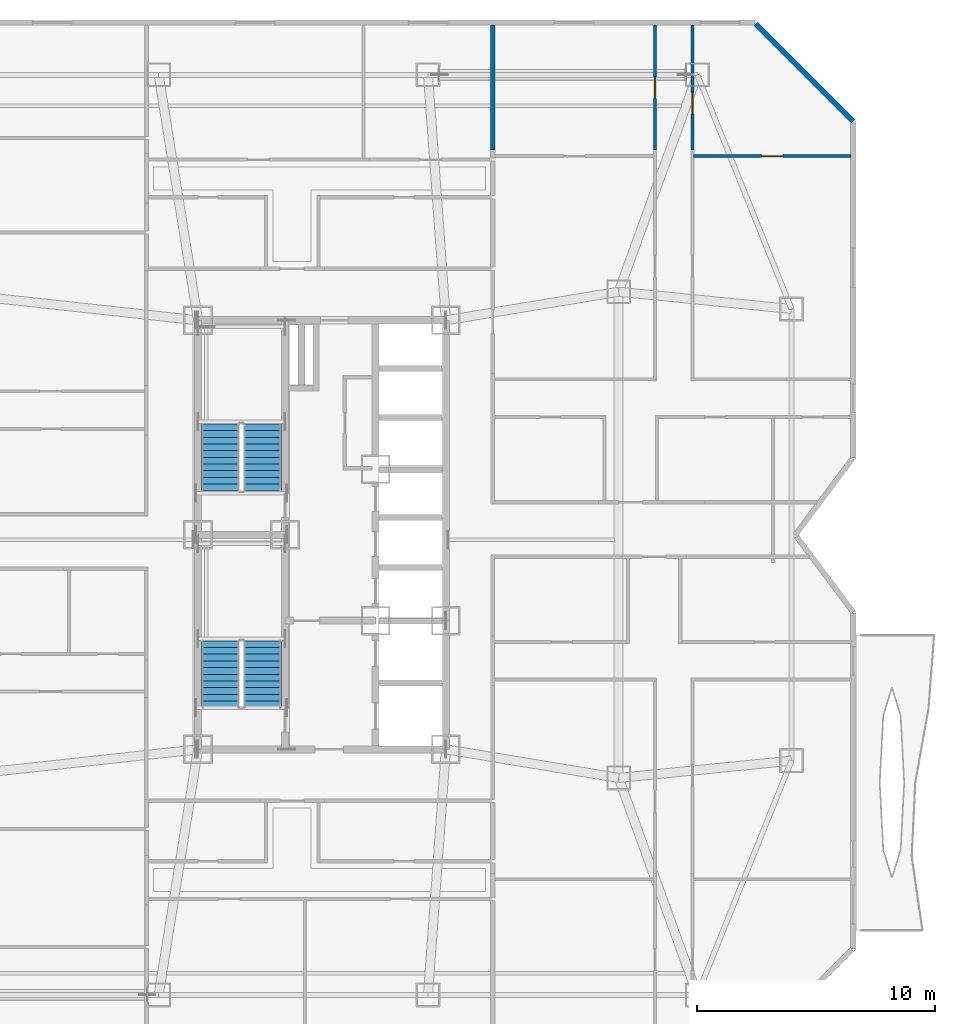
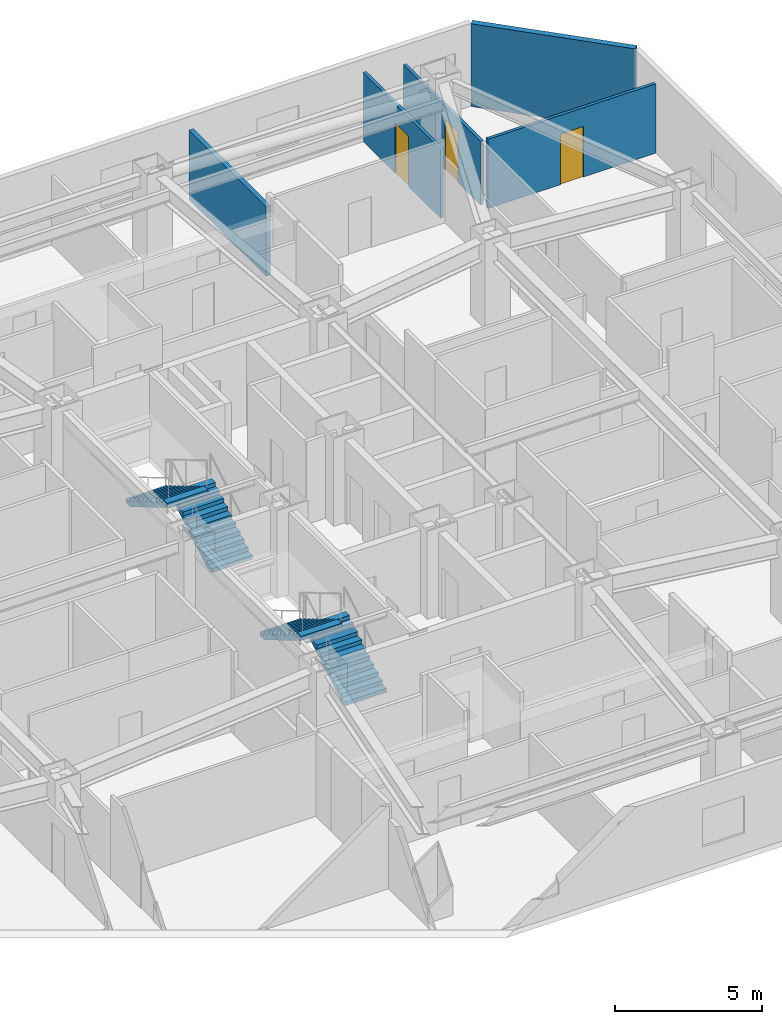
# One storey, part 12 of 15: 5 walls, 4 stair flights, 3 doors, 3 openings, 2 elements without a shape of their own.
"""IFC4 building model written with IfcOpenShell, lengths in metres."""

from ifc_helpers import new_model, si_unit, direction, frame, frame_2d, origin, place, context, subcontext, project, spatial, polyline, rectangle, outline, extrude, material, layer, layer_set, type_object, element, fill, aggregate, save


model = new_model("IFC4")

# Units and contexts
model_context = context("Model", 3, precision=1e-05, world=origin(), true_north=direction((0.0, 1.0)))
body_context = subcontext(model_context, "Body", "Model", "MODEL_VIEW")
ifc_project = project(units=[si_unit("LENGTHUNIT", "METRE"), si_unit("AREAUNIT", "SQUARE_METRE"), si_unit("VOLUMEUNIT", "CUBIC_METRE"), si_unit("PLANEANGLEUNIT", "RADIAN"), si_unit("MASSUNIT", "GRAM", prefix="KILO")], contexts=[model_context])

# Site, building, storey
site_placement = place(None, origin())
site = spatial("IfcSite", under=ifc_project, at=site_placement, CompositionType="ELEMENT")
building_placement = place(site_placement, origin())
building = spatial("IfcBuilding", under=site, at=building_placement, Name="Khamvora Tower", CompositionType="ELEMENT")
storey_placement = place(building_placement, frame((0.0, 0.0, 101.89990234375)))
storey = spatial("IfcBuildingStorey", under=building, at=storey_placement, Name="L25", CompositionType="ELEMENT", Elevation=101.89990234375)

# Walls
ifc_material_1 = material(Name="Acoustic Double-Stud Fire Wall", Category="gypsum")
ifc_layer_1 = layer(ifc_material_1, 0.179931640625)
ifc_layer_set_1 = layer_set([ifc_layer_1], Name="Acoustic Double-Stud Fire Wall")
wall_type_1 = type_object("IfcWallType", Name="WAL-CORR-180", PredefinedType="STANDARD", material=ifc_layer_set_1)
wall_1_placement = place(storey_placement, frame((41.364990234375, 49.387939453125, 0.0), z_axis=(0.0, 0.0, 1.0), x_axis=(0.0, -1.0, 0.0)))
element("IfcWall", 1, at=wall_1_placement, inside=storey, type_object=wall_type_1, Name="L25 interior partition wall 097", PredefinedType="STANDARD", context=body_context, shape_type="SweptSolid", body=[
    extrude(rectangle(XDim=5.25, YDim=0.179931640625, at=frame_2d((2.625, 0.0))), origin(), (0.0, 0.0, 1.0), 2.8759765625),
])
ifc_material_2 = material(Name="Precast concrete C40/50", Category="concrete")
ifc_layer_2 = layer(ifc_material_2, 0.219970703125)
ifc_layer_set_2 = layer_set([ifc_layer_2], Name="Precast concrete C40/50")
wall_type_2 = type_object("IfcWallType", Name="WAL-EXT-220", PredefinedType="STANDARD", material=ifc_layer_set_2)
wall_2_placement = place(storey_placement, frame((52.402099609375, 49.44189453125, 0.0), z_axis=(0.0, 0.0, 1.0), x_axis=(0.707106781187, -0.707106781187, 0.0)))
element("IfcWall", 2, at=wall_2_placement, inside=storey, type_object=wall_type_2, Name="L25 exterior facade wall 08.1", PredefinedType="STANDARD", context=body_context, shape_type="SweptSolid", body=[
    extrude(rectangle(XDim=5.78125, YDim=0.219970703125, at=frame_2d((2.890625, 0.0))), origin(), (0.0, 0.0, 1.0), 3.43017578125),
])

# Wall, opening, door
ifc_material_3 = material(Name="Gypsum Plasterboard Partition", Category="gypsum")
ifc_layer_3 = layer(ifc_material_3, 0.1201171875)
ifc_layer_set_3 = layer_set([ifc_layer_3], Name="Gypsum Plasterboard Partition")
wall_type_3 = type_object("IfcWallType", Name="WAL-PART-120", PredefinedType="PARTITIONING", material=ifc_layer_set_3)
wall_3_placement = place(storey_placement, frame((48.175048828125, 44.137939453125, 0.0), z_axis=(0.0, 0.0, 1.0), x_axis=(0.0, 1.0, 0.0)))
wall_3 = element("IfcWall", 3, at=wall_3_placement, inside=storey, type_object=wall_type_3, Name="L25 interior partition wall 118", PredefinedType="PARTITIONING", context=body_context, shape_type="SweptSolid", body=[
    extrude(rectangle(XDim=5.25, YDim=0.1201171875, at=frame_2d((2.625, 0.0))), origin(), (0.0, 0.0, 1.0), 2.8759765625),
])
opening_1_placement = place(wall_3_placement, frame((2.175048828125, 0.0, 0.0)))
opening_1 = element("IfcOpeningElement", 4, at=opening_1_placement, cuts=wall_3, Name="Opening D-RM1", PredefinedType="OPENING", context=body_context, shape_type="SweptSolid", body=[
    extrude(rectangle(XDim=0.89990234375, YDim=2.10009765625, at=frame_2d((0.449951171875, 1.050048828125))), frame((0.0, 0.070068359375, 0.0), z_axis=(0.0, -1.0, 0.0), x_axis=(1.0, 0.0, 0.0)), (0.0, 0.0, 1.0), 0.14013671875),
])
ifc_material_4 = material(Name="Powder-Coated Steel and Hardwood Leaf", Category="steel")
door_type = type_object("IfcDoorType", Name="DOR-ROOM-900", OperationType="NOTDEFINED", PredefinedType="DOOR", material=ifc_material_4)
door_1_placement = place(opening_1_placement, origin())
door_1 = element("IfcDoor", 5, at=door_1_placement, inside=storey, type_object=door_type, Name="L25 interior door 25EBH-25EBR2", OperationType="SINGLE_SWING_RIGHT", OverallHeight=2.10009765625, OverallWidth=0.89990234375, PredefinedType="DOOR", context=body_context, shape_type="SweptSolid", body=[
    extrude(rectangle(XDim=0.89990234375, YDim=2.10009765625, at=frame_2d((0.449951171875, 1.050048828125))), frame((0.0, 0.02490234375, 0.0), z_axis=(0.0, -1.0, 0.0), x_axis=(1.0, 0.0, 0.0)), (0.0, 0.0, 1.0), 0.050048828125),
])
fill(opening_1, door_1)

wall_4_placement = place(storey_placement, frame((49.7451171875, 49.387939453125, 0.0), z_axis=(0.0, 0.0, 1.0), x_axis=(0.0, -1.0, 0.0)))
wall_4 = element("IfcWall", 6, at=wall_4_placement, inside=storey, type_object=wall_type_3, Name="L25 interior partition wall 121", PredefinedType="PARTITIONING", context=body_context, shape_type="SweptSolid", body=[
    extrude(rectangle(XDim=5.25, YDim=0.1201171875, at=frame_2d((2.625, 0.0))), origin(), (0.0, 0.0, 1.0), 2.647216796875),
])
opening_2_placement = place(wall_4_placement, frame((2.823974609375, 0.0, 0.0)))
opening_2 = element("IfcOpeningElement", 7, at=opening_2_placement, cuts=wall_4, Name="Opening D-RM1", PredefinedType="OPENING", context=body_context, shape_type="SweptSolid", body=[
    extrude(rectangle(XDim=0.89990234375, YDim=2.10009765625, at=frame_2d((0.449951171875, 1.050048828125))), frame((0.0, 0.070068359375, 0.0), z_axis=(0.0, -1.0, 0.0), x_axis=(1.0, 0.0, 0.0)), (0.0, 0.0, 1.0), 0.14013671875),
])
door_2_placement = place(opening_2_placement, origin())
door_2 = element("IfcDoor", 8, at=door_2_placement, inside=storey, type_object=door_type, Name="L25 interior door 25EBH-25EBR4", OperationType="SINGLE_SWING_RIGHT", OverallHeight=2.10009765625, OverallWidth=0.89990234375, PredefinedType="DOOR", context=body_context, shape_type="SweptSolid", body=[
    extrude(rectangle(XDim=0.89990234375, YDim=2.10009765625, at=frame_2d((0.449951171875, 1.050048828125))), frame((0.0, 0.02490234375, 0.0), z_axis=(0.0, -1.0, 0.0), x_axis=(1.0, 0.0, 0.0)), (0.0, 0.0, 1.0), 0.050048828125),
])
fill(opening_2, door_2)

wall_5_placement = place(storey_placement, frame((49.799072265625, 43.887939453125, 0.0), z_axis=(0.0, 0.0, 1.0), x_axis=(1.0, 0.0, 0.0)))
wall_5 = element("IfcWall", 9, at=wall_5_placement, inside=storey, type_object=wall_type_3, Name="L25 interior partition wall 123", PredefinedType="PARTITIONING", context=body_context, shape_type="SweptSolid", body=[
    extrude(rectangle(XDim=6.5888671875, YDim=0.1201171875, at=frame_2d((3.29443359375, 0.0))), origin(), (0.0, 0.0, 1.0), 2.8759765625),
])
opening_3_placement = place(wall_5_placement, frame((2.844970703125, 0.0, 0.0)))
opening_3 = element("IfcOpeningElement", 10, at=opening_3_placement, cuts=wall_5, Name="Opening D-RM1", PredefinedType="OPENING", context=body_context, shape_type="SweptSolid", body=[
    extrude(rectangle(XDim=0.89990234375, YDim=2.10009765625, at=frame_2d((0.449951171875, 1.050048828125))), frame((0.0, 0.070068359375, 0.0), z_axis=(0.0, -1.0, 0.0), x_axis=(1.0, 0.0, 0.0)), (0.0, 0.0, 1.0), 0.14013671875),
])
door_3_placement = place(opening_3_placement, origin())
door_3 = element("IfcDoor", 11, at=door_3_placement, inside=storey, type_object=door_type, Name="L25 interior door 25EBR3-25EBR4", OperationType="SINGLE_SWING_RIGHT", OverallHeight=2.10009765625, OverallWidth=0.89990234375, PredefinedType="DOOR", context=body_context, shape_type="SweptSolid", body=[
    extrude(rectangle(XDim=0.89990234375, YDim=2.10009765625, at=frame_2d((0.449951171875, 1.050048828125))), frame((0.0, 0.02490234375, 0.0), z_axis=(0.0, -1.0, 0.0), x_axis=(1.0, 0.0, 0.0)), (0.0, 0.0, 1.0), 0.050048828125),
])
fill(opening_3, door_3)

# Stair, stair flights
ifc_material_5 = material(Name="Concrete C40/50", Category="concrete")
stair_type_1 = type_object("IfcStairType", Name="STR-ST-01", PredefinedType="HALF_TURN_STAIR", material=ifc_material_5)
stair_1_placement = place(storey_placement, origin())
stair_1 = element("IfcStair", 12, at=stair_1_placement, inside=storey, type_object=stair_type_1, Name="L25 South Tower Exit Stair ST-01", PredefinedType="HALF_TURN_STAIR")
stair_flight_type_1 = type_object("IfcStairFlightType", Name="STF-ST-01", PredefinedType="STRAIGHT", material=ifc_material_5)
stair_flight_1_placement = place(storey_placement, frame((31.699951171875, 20.75, 0.0), z_axis=(0.0, 0.0, 1.0), x_axis=(0.0, 1.0, 0.0)))
stair_flight_1 = element("IfcStairFlight", 13, at=stair_flight_1_placement, type_object=stair_flight_type_1, Name="ST-01 flight 1", NumberOfRisers=11, NumberOfTreads=10, PredefinedType="STRAIGHT", RiserHeight=0.165909091, TreadLength=0.28, context=body_context, shape_type="SweptSolid", body=[
    extrude(outline(polyline([(0.0, 0.0), (0.0, 0.166015625), (0.280029296875, 0.166015625), (0.280029296875, 0.331787109375), (0.56005859375, 0.331787109375), (0.56005859375, 0.497802734375), (0.840087890625, 0.497802734375), (0.840087890625, 0.66357421875), (1.1201171875, 0.66357421875), (1.1201171875, 0.82958984375), (1.39990234375, 0.82958984375), (1.39990234375, 0.995361328125), (1.679931640625, 0.995361328125), (1.679931640625, 1.161376953125), (1.9599609375, 1.161376953125), (1.9599609375, 1.327392578125), (2.239990234375, 1.327392578125), (2.239990234375, 1.4931640625), (2.52001953125, 1.4931640625), (2.52001953125, 1.6591796875), (2.800048828125, 1.6591796875), (2.800048828125, 1.824951171875), (2.800048828125, 1.48486328125), (0.2939453125, 0.0), (0.0, 0.0)])), frame((0.0, 0.800048828125, 0.0), z_axis=(0.0, -1.0, 0.0), x_axis=(1.0, 0.0, 0.0)), (0.0, 0.0, 1.0), 1.60009765625),
])
stair_flight_2_placement = place(storey_placement, frame((29.949951171875, 23.550048828125, 1.8251953125), z_axis=(0.0, 0.0, 1.0), x_axis=(0.0, -1.0, 0.0)))
stair_flight_2 = element("IfcStairFlight", 14, at=stair_flight_2_placement, type_object=stair_flight_type_1, Name="ST-01 flight 2", NumberOfRisers=11, NumberOfTreads=10, PredefinedType="STRAIGHT", RiserHeight=0.165909091, TreadLength=0.28, context=body_context, shape_type="SweptSolid", body=[
    extrude(outline(polyline([(0.0, 0.0), (0.0, 0.166015625), (0.280029296875, 0.166015625), (0.280029296875, 0.331787109375), (0.56005859375, 0.331787109375), (0.56005859375, 0.497802734375), (0.840087890625, 0.497802734375), (0.840087890625, 0.66357421875), (1.1201171875, 0.66357421875), (1.1201171875, 0.82958984375), (1.39990234375, 0.82958984375), (1.39990234375, 0.995361328125), (1.679931640625, 0.995361328125), (1.679931640625, 1.161376953125), (1.9599609375, 1.161376953125), (1.9599609375, 1.327392578125), (2.239990234375, 1.327392578125), (2.239990234375, 1.4931640625), (2.52001953125, 1.4931640625), (2.52001953125, 1.6591796875), (2.800048828125, 1.6591796875), (2.800048828125, 1.824951171875), (2.800048828125, 1.48486328125), (0.2939453125, 0.0), (0.0, 0.0)])), frame((0.0, 0.800048828125, 0.0), z_axis=(0.0, -1.0, 0.0), x_axis=(1.0, 0.0, 0.0)), (0.0, 0.0, 1.0), 1.60009765625),
])
aggregate(stair_1, [stair_flight_1, stair_flight_2])

stair_type_2 = type_object("IfcStairType", Name="STR-ST-02", PredefinedType="HALF_TURN_STAIR", material=ifc_material_5)
stair_2_placement = place(storey_placement, origin())
stair_2 = element("IfcStair", 15, at=stair_2_placement, inside=storey, type_object=stair_type_2, Name="L25 North Tower Exit Stair ST-02", PredefinedType="HALF_TURN_STAIR")
stair_flight_type_2 = type_object("IfcStairFlightType", Name="STF-ST-02", PredefinedType="STRAIGHT", material=ifc_material_5)
stair_flight_3_placement = place(storey_placement, frame((31.699951171875, 29.85009765625, 0.0), z_axis=(0.0, 0.0, 1.0), x_axis=(0.0, 1.0, 0.0)))
stair_flight_3 = element("IfcStairFlight", 16, at=stair_flight_3_placement, type_object=stair_flight_type_2, Name="ST-02 flight 1", NumberOfRisers=11, NumberOfTreads=10, PredefinedType="STRAIGHT", RiserHeight=0.165909091, TreadLength=0.28, context=body_context, shape_type="SweptSolid", body=[
    extrude(outline(polyline([(0.0, 0.0), (0.0, 0.166015625), (0.280029296875, 0.166015625), (0.280029296875, 0.331787109375), (0.56005859375, 0.331787109375), (0.56005859375, 0.497802734375), (0.840087890625, 0.497802734375), (0.840087890625, 0.66357421875), (1.1201171875, 0.66357421875), (1.1201171875, 0.82958984375), (1.39990234375, 0.82958984375), (1.39990234375, 0.995361328125), (1.679931640625, 0.995361328125), (1.679931640625, 1.161376953125), (1.9599609375, 1.161376953125), (1.9599609375, 1.327392578125), (2.239990234375, 1.327392578125), (2.239990234375, 1.4931640625), (2.52001953125, 1.4931640625), (2.52001953125, 1.6591796875), (2.800048828125, 1.6591796875), (2.800048828125, 1.824951171875), (2.800048828125, 1.48486328125), (0.2939453125, 0.0), (0.0, 0.0)])), frame((0.0, 0.800048828125, 0.0), z_axis=(0.0, -1.0, 0.0), x_axis=(1.0, 0.0, 0.0)), (0.0, 0.0, 1.0), 1.60009765625),
])
stair_flight_4_placement = place(storey_placement, frame((29.949951171875, 32.64990234375, 1.8251953125), z_axis=(0.0, 0.0, 1.0), x_axis=(0.0, -1.0, 0.0)))
stair_flight_4 = element("IfcStairFlight", 17, at=stair_flight_4_placement, type_object=stair_flight_type_2, Name="ST-02 flight 2", NumberOfRisers=11, NumberOfTreads=10, PredefinedType="STRAIGHT", RiserHeight=0.165909091, TreadLength=0.28, context=body_context, shape_type="SweptSolid", body=[
    extrude(outline(polyline([(0.0, 0.0), (0.0, 0.166015625), (0.280029296875, 0.166015625), (0.280029296875, 0.331787109375), (0.56005859375, 0.331787109375), (0.56005859375, 0.497802734375), (0.840087890625, 0.497802734375), (0.840087890625, 0.66357421875), (1.1201171875, 0.66357421875), (1.1201171875, 0.82958984375), (1.39990234375, 0.82958984375), (1.39990234375, 0.995361328125), (1.679931640625, 0.995361328125), (1.679931640625, 1.161376953125), (1.9599609375, 1.161376953125), (1.9599609375, 1.327392578125), (2.239990234375, 1.327392578125), (2.239990234375, 1.4931640625), (2.52001953125, 1.4931640625), (2.52001953125, 1.6591796875), (2.800048828125, 1.6591796875), (2.800048828125, 1.824951171875), (2.800048828125, 1.48486328125), (0.2939453125, 0.0), (0.0, 0.0)])), frame((0.0, 0.800048828125, 0.0), z_axis=(0.0, -1.0, 0.0), x_axis=(1.0, 0.0, 0.0)), (0.0, 0.0, 1.0), 1.60009765625),
])
aggregate(stair_2, [stair_flight_3, stair_flight_4])

save(model, "model.ifc")
